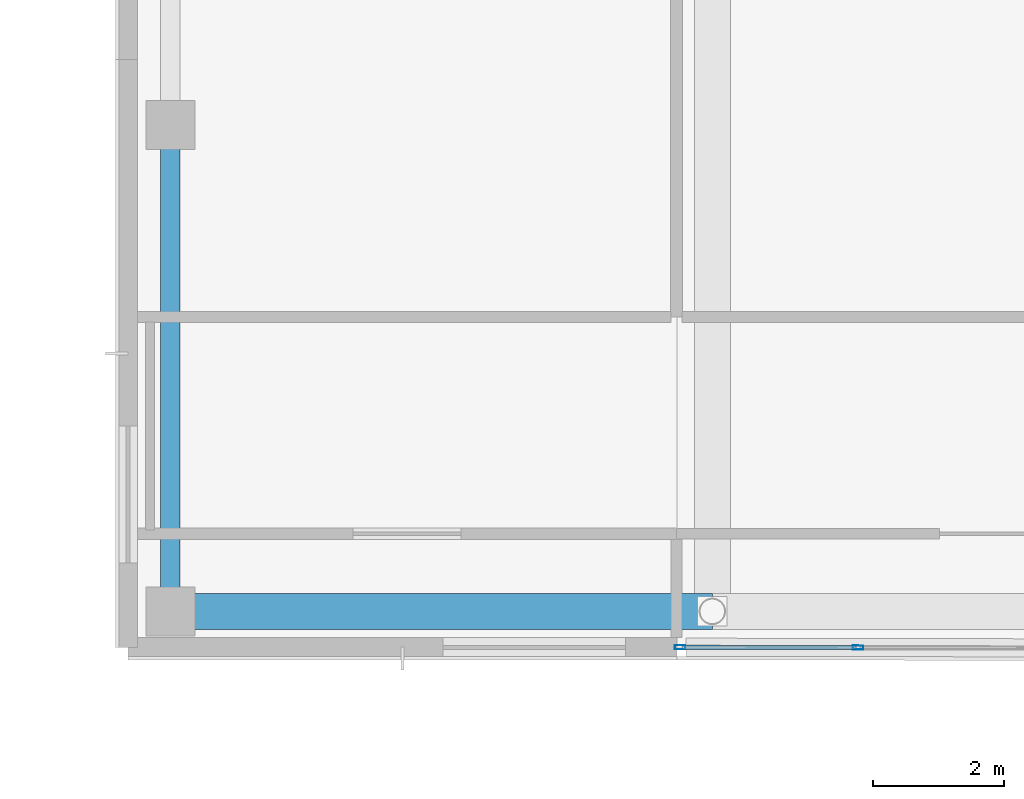
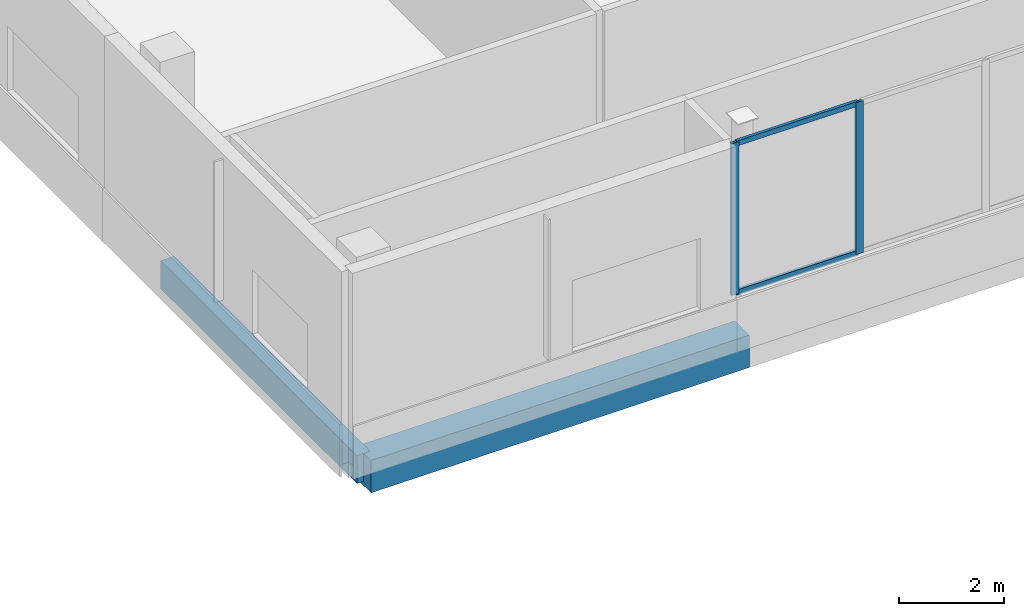
# One storey, part 25 of 155: 4 members, 2 beams, 1 element without a shape of its own.
"""IFC4 building model written with IfcOpenShell, lengths in metres."""

from ifc_helpers import new_model, si_unit, direction, frame, origin, origin_2d, place, context, subcontext, project, spatial, rectangle, hollow_rectangle, extrude, material, material_profile, profile_set, type_object, element, aggregate, save


model = new_model("IFC4")

# Units and contexts
model_context = context("Model", 3, precision=1e-05, world=origin(), true_north=direction((0.0, 1.0)))
body_context = subcontext(model_context, "Body", "Model", "MODEL_VIEW")
ifc_project = project(units=[si_unit("LENGTHUNIT", "METRE"), si_unit("AREAUNIT", "SQUARE_METRE"), si_unit("VOLUMEUNIT", "CUBIC_METRE"), si_unit("PLANEANGLEUNIT", "RADIAN"), si_unit("MASSUNIT", "GRAM", prefix="KILO")], contexts=[model_context])

# Site, building, storey
site_placement = place(None, origin())
site = spatial("IfcSite", under=ifc_project, at=site_placement, CompositionType="ELEMENT")
building_placement = place(site_placement, origin())
building = spatial("IfcBuilding", under=site, at=building_placement, Name="Selatvlak General Hospital", CompositionType="ELEMENT")
storey_placement = place(building_placement, frame((0.0, 0.0, 10.199951171875)))
storey = spatial("IfcBuildingStorey", under=building, at=storey_placement, Name="L02", CompositionType="ELEMENT", Elevation=10.199951171875)

# Beams
ifc_material_1 = material(Name="Concrete C40/50", Category="concrete")
ifc_material_profile_1 = material_profile(ifc_material_1, rectangle(XDim=0.550048828125, YDim=0.75, at=origin_2d()), Name="RC-BM 550x750")
ifc_profile_set_1 = profile_set([ifc_material_profile_1], Name="Concrete C40/50")
beam_type_1 = type_object("IfcBeamType", Name="BM-G02", PredefinedType="BEAM", material=ifc_profile_set_1)
beam_1_placement = place(storey_placement, frame((15.050048828125, 52.550048828125, -0.72998046875), z_axis=(1.0, 0.0, 0.0), x_axis=(0.0, 1.0, 0.0)))
element("IfcBeam", 1, at=beam_1_placement, inside=storey, type_object=beam_type_1, Name="Beam BMR-L02-0766", PredefinedType="BEAM", context=body_context, shape_type="SweptSolid", body=[
    extrude(rectangle(XDim=0.550048828125, YDim=0.75, at=origin_2d()), origin(), (0.0, 0.0, 1.0), 8.300048828125),
])
ifc_material_profile_2 = material_profile(ifc_material_1, rectangle(XDim=0.300048828125, YDim=0.64990234375, at=origin_2d()), Name="RC-SP 300x650")
ifc_profile_set_2 = profile_set([ifc_material_profile_2], Name="Concrete C40/50")
beam_type_2 = type_object("IfcBeamType", Name="BM-SP1", PredefinedType="SPANDREL", material=ifc_profile_set_2)
beam_2_placement = place(storey_placement, frame((15.050048828125, 52.550048828125, -0.679931640625), z_axis=(0.0, 1.0, 0.0), x_axis=(-1.0, 0.0, 0.0)))
element("IfcBeam", 2, at=beam_2_placement, inside=storey, type_object=beam_type_2, Name="Beam BMR-L02-0924", PredefinedType="SPANDREL", context=body_context, shape_type="SweptSolid", body=[
    extrude(rectangle(XDim=0.300048828125, YDim=0.64990234375, at=origin_2d()), origin(), (0.0, 0.0, 1.0), 7.449951171875),
])

# Curtain wall, members
ifc_material_2 = material(Name="Solar-control Low-E double glazing", Category="glass")
curtain_wall_type = type_object("IfcCurtainWallType", Name="CW-CW-02", PredefinedType="USERDEFINED", material=ifc_material_2)
curtain_wall_placement = place(storey_placement, origin())
curtain_wall = element("IfcCurtainWall", 3, at=curtain_wall_placement, inside=storey, type_object=curtain_wall_type, Name="Glazed facade curtain wall CW-L02-0345", ObjectType="UNITISED CURTAIN WALL", PredefinedType="USERDEFINED")
ifc_material_3 = material(Name="Dark anodised aluminium mullion", Category="aluminium")
ifc_material_profile_3 = material_profile(ifc_material_3, hollow_rectangle(XDim=0.06494140625, YDim=0.159912109375, WallThickness=0.00390625, at=origin_2d()), Name="AL-MUL 65x160x4")
ifc_profile_set_3 = profile_set([ifc_material_profile_3], Name="Dark anodised aluminium mullion")
member_type_1 = type_object("IfcMemberType", Name="CWM-01", PredefinedType="MULLION", material=ifc_profile_set_3)
member_1_placement = place(storey_placement, frame((25.584716796875, 51.9951171875, 0.93994140625), z_axis=(0.0, 0.0, 1.0), x_axis=(-0.001811153756, -0.99999835986, 0.0)))
member_1 = element("IfcMember", 4, at=member_1_placement, type_object=member_type_1, Name="CW-02 mullion 3", PredefinedType="MULLION", context=body_context, shape_type="SweptSolid", body=[
    extrude(hollow_rectangle(XDim=0.06494140625, YDim=0.159912109375, WallThickness=0.00390625, at=origin_2d()), origin(), (0.0, 0.0, 1.0), 3.52001953125),
])
member_2_placement = place(storey_placement, frame((22.8564453125, 52.0, 0.93994140625), z_axis=(0.0, 0.0, 1.0), x_axis=(-0.001811153756, -0.99999835986, 0.0)))
member_2 = element("IfcMember", 5, at=member_2_placement, type_object=member_type_1, Name="CW-02 mullion 4", PredefinedType="MULLION", context=body_context, shape_type="SweptSolid", body=[
    extrude(hollow_rectangle(XDim=0.06494140625, YDim=0.159912109375, WallThickness=0.00390625, at=origin_2d()), origin(), (0.0, 0.0, 1.0), 3.52001953125),
])
ifc_material_profile_4 = material_profile(ifc_material_3, hollow_rectangle(XDim=0.06494140625, YDim=0.1201171875, WallThickness=0.00390625, at=origin_2d()), Name="AL-TRN 65x120x4")
ifc_profile_set_4 = profile_set([ifc_material_profile_4], Name="Dark anodised aluminium mullion")
member_type_2 = type_object("IfcMemberType", Name="CWT-01", PredefinedType="USERDEFINED", material=ifc_profile_set_4)
member_3_placement = place(storey_placement, frame((25.55224609375, 51.9951171875, 0.97265625), z_axis=(-0.999998319421, 0.00183334553, 0.0), x_axis=(-0.00183334553, -0.999998319421, 0.0)))
member_3 = element("IfcMember", 6, at=member_3_placement, type_object=member_type_2, Name="CW-02 transom 3.1", ObjectType="TRANSOM", PredefinedType="USERDEFINED", context=body_context, shape_type="SweptSolid", body=[
    extrude(hollow_rectangle(XDim=0.06494140625, YDim=0.1201171875, WallThickness=0.00390625, at=origin_2d()), origin(), (0.0, 0.0, 1.0), 2.663330078125),
])
member_4_placement = place(storey_placement, frame((25.55224609375, 51.9951171875, 4.427490234375), z_axis=(-0.999998319421, 0.00183334553, 0.0), x_axis=(-0.00183334553, -0.999998319421, 0.0)))
member_4 = element("IfcMember", 7, at=member_4_placement, type_object=member_type_2, Name="CW-02 transom 3.2", ObjectType="TRANSOM", PredefinedType="USERDEFINED", context=body_context, shape_type="SweptSolid", body=[
    extrude(hollow_rectangle(XDim=0.06494140625, YDim=0.1201171875, WallThickness=0.00390625, at=origin_2d()), origin(), (0.0, 0.0, 1.0), 2.663330078125),
])
aggregate(curtain_wall, [member_1, member_2, member_3, member_4])

save(model, "model.ifc")
